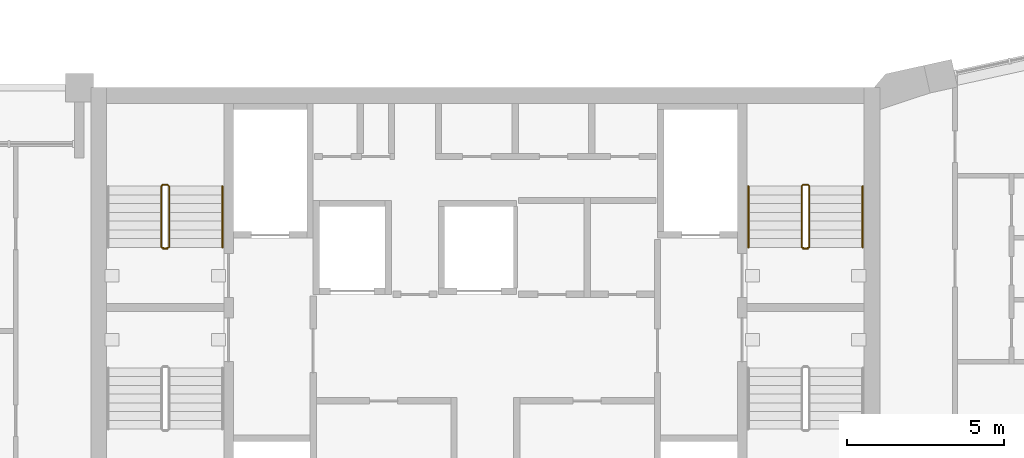
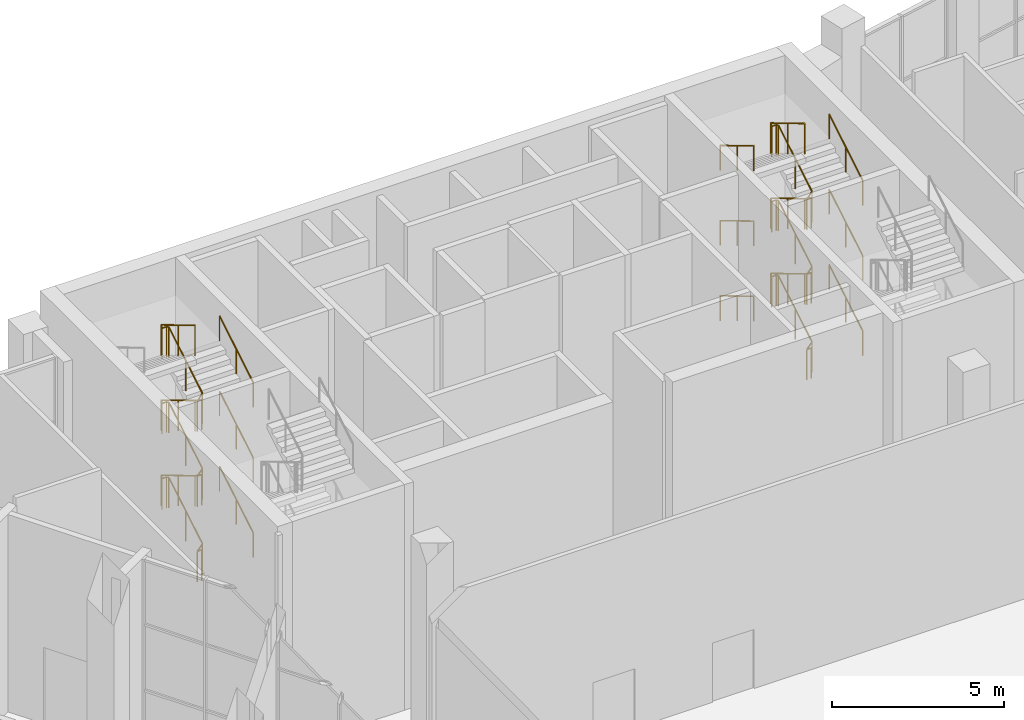
# One storey, part 16 of 16: 11 railings.
"""IFC4 building model written with IfcOpenShell, lengths in metres."""

from ifc_helpers import new_model, si_unit, direction, frame, origin, origin_2d, place, context, subcontext, project, spatial, circle, extrude, material, type_object, element, save


model = new_model("IFC4")

# Units and contexts
model_context = context("Model", 3, precision=1e-05, world=origin(), true_north=direction((0.0, 1.0)))
body_context = subcontext(model_context, "Body", "Model", "MODEL_VIEW")
ifc_project = project(units=[si_unit("LENGTHUNIT", "METRE"), si_unit("AREAUNIT", "SQUARE_METRE"), si_unit("VOLUMEUNIT", "CUBIC_METRE"), si_unit("PLANEANGLEUNIT", "RADIAN"), si_unit("MASSUNIT", "GRAM", prefix="KILO")], contexts=[model_context])

# Site, building, storey
site_placement = place(None, origin())
site = spatial("IfcSite", under=ifc_project, at=site_placement, CompositionType="ELEMENT")
building_placement = place(site_placement, origin())
building = spatial("IfcBuilding", under=site, at=building_placement, Name="Calabash Gate Tower", CompositionType="ELEMENT")
storey_placement = place(building_placement, frame((0.0, 0.0, 302.5)))
storey = spatial("IfcBuildingStorey", under=building, at=storey_placement, Name="L72", CompositionType="ELEMENT", Elevation=302.5)

# Railings
ifc_material_1 = material(Name="Black powder-coated steel balusters", Category="steel")
railing_type_1 = type_object("IfcRailingType", Name="Stair guard RL1100", PredefinedType="GUARDRAIL", material=ifc_material_1)
railing_1_placement = place(storey_placement, frame((-10.14990234375, 13.902587890625, 0.0)))
element("IfcRailing", 1, at=railing_1_placement, inside=storey, type_object=railing_type_1, Name="L72 ST1 stair guard 1", PredefinedType="GUARDRAIL", context=body_context, shape_type="SweptSolid", body=[
    extrude(circle(Radius=0.02392578125, at=origin_2d()), frame((0.0, 0.0, 1.076171875), z_axis=(-1.0, 0.0, 0.0), x_axis=(0.0, -1.0, 0.0)), (0.0, 0.0, 1.0), 0.150146484375),
    extrude(circle(Radius=0.02392578125, at=origin_2d()), frame((-0.150146484375, 0.0, 1.076171875), z_axis=(0.754182335027, 0.188775798145, 0.628945707965), x_axis=(-0.242814311512, 0.970072785993, 0.0)), (0.0, 0.0, 1.0), 0.26513671875),
    extrude(circle(Radius=0.02392578125, at=origin_2d()), frame((0.0498046875, 0.050048828125, 1.24267578125), z_axis=(0.0, 0.858504550952, 0.512805943799), x_axis=(-1.0, 0.0, 0.0)), (0.0, 0.0, 1.0), 2.274658203125),
    extrude(circle(Radius=0.02392578125, at=origin_2d()), frame((0.0498046875, 2.0029296875, 2.4091796875), z_axis=(-0.705375805398, 0.708833529934, 0.0), x_axis=(-0.708833529934, -0.705375805398, 0.0)), (0.0, 0.0, 1.0), 0.070556640625),
    extrude(circle(Radius=0.02392578125, at=origin_2d()), frame((0.0, 2.052978515625, 2.4091796875), z_axis=(-1.0, 0.0, 0.0), x_axis=(0.0, -1.0, 0.0)), (0.0, 0.0, 1.0), 0.150146484375),
    extrude(circle(Radius=0.02392578125, at=origin_2d()), frame((-0.150146484375, 2.052978515625, 2.4091796875), z_axis=(-0.27628659633, -0.27628659633, 0.920506074601), x_axis=(0.707106781187, -0.707106781187, 0.0)), (0.0, 0.0, 1.0), 0.18115234375),
    extrude(circle(Radius=0.02392578125, at=origin_2d()), frame((-0.2001953125, 2.0029296875, 2.576171875), z_axis=(0.0, -0.858457299827, 0.512885040114), x_axis=(1.0, 0.0, 0.0)), (0.0, 0.0, 1.0), 2.27490234375),
    extrude(circle(Radius=0.02392578125, at=origin_2d()), frame((-0.2001953125, 0.050048828125, 3.74267578125), z_axis=(0.970142500145, -0.242535625036, 0.0), x_axis=(0.242535625036, 0.970142500145, 0.0)), (0.0, 0.0, 1.0), 0.206298828125),
    extrude(circle(Radius=0.02392578125, at=origin_2d()), frame((0.0, 0.0, 3.74267578125), z_axis=(-1.0, 0.0, 0.0), x_axis=(0.0, -1.0, 0.0)), (0.0, 0.0, 1.0), 0.150146484375),
    extrude(circle(Radius=0.02392578125, at=origin_2d()), frame((-0.150146484375, 0.0, 3.74267578125), z_axis=(0.754619193878, 0.188885146209, 0.628388632753), x_axis=(-0.242814311512, 0.970072785993, 0.0)), (0.0, 0.0, 1.0), 0.264892578125),
    extrude(circle(Radius=0.02392578125, at=origin_2d()), frame((0.0498046875, 0.050048828125, 3.9091796875), z_axis=(0.0, 0.858457299827, 0.512885040114), x_axis=(-1.0, 0.0, 0.0)), (0.0, 0.0, 1.0), 2.27490234375),
    extrude(circle(Radius=0.02392578125, at=origin_2d()), frame((0.0498046875, 2.0029296875, 5.076171875), z_axis=(-0.705375805398, 0.708833529934, 0.0), x_axis=(-0.708833529934, -0.705375805398, 0.0)), (0.0, 0.0, 1.0), 0.070556640625),
    extrude(circle(Radius=0.02392578125, at=origin_2d()), frame((0.0, 2.052978515625, 5.076171875), z_axis=(-1.0, 0.0, 0.0), x_axis=(0.0, -1.0, 0.0)), (0.0, 0.0, 1.0), 0.150146484375),
    extrude(circle(Radius=0.02392578125, at=origin_2d()), frame((-0.150146484375, 2.052978515625, 5.076171875), z_axis=(-0.27628659633, -0.27628659633, 0.920506074601), x_axis=(0.707106781187, -0.707106781187, 0.0)), (0.0, 0.0, 1.0), 0.18115234375),
    extrude(circle(Radius=0.02392578125, at=origin_2d()), frame((-0.2001953125, 2.0029296875, 5.24267578125), z_axis=(0.0, -0.858504550952, 0.512805943799), x_axis=(1.0, 0.0, 0.0)), (0.0, 0.0, 1.0), 2.274658203125),
    extrude(circle(Radius=0.02392578125, at=origin_2d()), frame((-0.2001953125, 0.050048828125, 6.4091796875), z_axis=(0.970142500145, -0.242535625036, 0.0), x_axis=(0.242535625036, 0.970142500145, 0.0)), (0.0, 0.0, 1.0), 0.206298828125),
    extrude(circle(Radius=0.02392578125, at=origin_2d()), frame((0.0, 0.0, 6.4091796875), z_axis=(-1.0, 0.0, 0.0), x_axis=(0.0, -1.0, 0.0)), (0.0, 0.0, 1.0), 0.150146484375),
    extrude(circle(Radius=0.02392578125, at=origin_2d()), frame((-0.150146484375, 0.0, 6.4091796875), z_axis=(0.754182335027, 0.188775798145, 0.628945707965), x_axis=(-0.242814311512, 0.970072785993, 0.0)), (0.0, 0.0, 1.0), 0.26513671875),
    extrude(circle(Radius=0.02392578125, at=origin_2d()), frame((0.0498046875, 0.050048828125, 6.576171875), z_axis=(0.0, 0.858457299827, 0.512885040114), x_axis=(-1.0, 0.0, 0.0)), (0.0, 0.0, 1.0), 2.27490234375),
    extrude(circle(Radius=0.02392578125, at=origin_2d()), frame((0.0498046875, 2.0029296875, 7.74267578125), z_axis=(-0.705375805398, 0.708833529934, 0.0), x_axis=(-0.708833529934, -0.705375805398, 0.0)), (0.0, 0.0, 1.0), 0.070556640625),
    extrude(circle(Radius=0.02392578125, at=origin_2d()), frame((0.0, 2.052978515625, 7.74267578125), z_axis=(-1.0, 0.0, 0.0), x_axis=(0.0, -1.0, 0.0)), (0.0, 0.0, 1.0), 0.150146484375),
    extrude(circle(Radius=0.02392578125, at=origin_2d()), frame((-0.150146484375, 2.052978515625, 7.74267578125), z_axis=(-0.27662974545, -0.27662974545, 0.920299933644), x_axis=(0.707106781187, -0.707106781187, 0.0)), (0.0, 0.0, 1.0), 0.180908203125),
    extrude(circle(Radius=0.02392578125, at=origin_2d()), frame((-0.2001953125, 2.0029296875, 7.9091796875), z_axis=(0.0, -0.858457299827, 0.512885040114), x_axis=(1.0, 0.0, 0.0)), (0.0, 0.0, 1.0), 2.27490234375),
    extrude(circle(Radius=0.02099609375, at=origin_2d()), origin(), (0.0, 0.0, 1.0), 1.052001953125),
    extrude(circle(Radius=0.02099609375, at=origin_2d()), frame((-0.150146484375, 0.0, 0.0)), (0.0, 0.0, 1.0), 1.052001953125),
    extrude(circle(Radius=0.02099609375, at=origin_2d()), frame((0.0498046875, 0.050048828125, 0.166748046875)), (0.0, 0.0, 1.0), 1.052001953125),
    extrude(circle(Radius=0.02099609375, at=origin_2d()), frame((0.0498046875, 1.0263671875, 0.75)), (0.0, 0.0, 1.0), 1.052001953125),
    extrude(circle(Radius=0.02099609375, at=origin_2d()), frame((0.0498046875, 2.0029296875, 1.333251953125)), (0.0, 0.0, 1.0), 1.052001953125),
    extrude(circle(Radius=0.02099609375, at=origin_2d()), frame((0.0, 2.052978515625, 1.333251953125)), (0.0, 0.0, 1.0), 1.052001953125),
    extrude(circle(Radius=0.02099609375, at=origin_2d()), frame((-0.150146484375, 2.052978515625, 1.333251953125)), (0.0, 0.0, 1.0), 1.052001953125),
    extrude(circle(Radius=0.02099609375, at=origin_2d()), frame((-0.2001953125, 2.0029296875, 1.5)), (0.0, 0.0, 1.0), 1.052001953125),
    extrude(circle(Radius=0.02099609375, at=origin_2d()), frame((-0.2001953125, 1.0263671875, 2.08349609375)), (0.0, 0.0, 1.0), 1.052001953125),
    extrude(circle(Radius=0.02099609375, at=origin_2d()), frame((-0.2001953125, 0.050048828125, 2.666748046875)), (0.0, 0.0, 1.0), 1.052001953125),
    extrude(circle(Radius=0.02099609375, at=origin_2d()), frame((0.0, 0.0, 2.666748046875)), (0.0, 0.0, 1.0), 1.052001953125),
    extrude(circle(Radius=0.02099609375, at=origin_2d()), frame((-0.150146484375, 0.0, 2.666748046875)), (0.0, 0.0, 1.0), 1.052001953125),
    extrude(circle(Radius=0.02099609375, at=origin_2d()), frame((0.0498046875, 0.050048828125, 2.833251953125)), (0.0, 0.0, 1.0), 1.052001953125),
    extrude(circle(Radius=0.02099609375, at=origin_2d()), frame((0.0498046875, 1.0263671875, 3.41650390625)), (0.0, 0.0, 1.0), 1.052001953125),
    extrude(circle(Radius=0.02099609375, at=origin_2d()), frame((0.0498046875, 2.0029296875, 4.0)), (0.0, 0.0, 1.0), 1.052001953125),
    extrude(circle(Radius=0.02099609375, at=origin_2d()), frame((0.0, 2.052978515625, 4.0)), (0.0, 0.0, 1.0), 1.052001953125),
    extrude(circle(Radius=0.02099609375, at=origin_2d()), frame((-0.150146484375, 2.052978515625, 4.0)), (0.0, 0.0, 1.0), 1.052001953125),
    extrude(circle(Radius=0.02099609375, at=origin_2d()), frame((-0.2001953125, 2.0029296875, 4.166748046875)), (0.0, 0.0, 1.0), 1.052001953125),
    extrude(circle(Radius=0.02099609375, at=origin_2d()), frame((-0.2001953125, 1.0263671875, 4.75)), (0.0, 0.0, 1.0), 1.052001953125),
    extrude(circle(Radius=0.02099609375, at=origin_2d()), frame((-0.2001953125, 0.050048828125, 5.333251953125)), (0.0, 0.0, 1.0), 1.052001953125),
    extrude(circle(Radius=0.02099609375, at=origin_2d()), frame((0.0, 0.0, 5.333251953125)), (0.0, 0.0, 1.0), 1.052001953125),
    extrude(circle(Radius=0.02099609375, at=origin_2d()), frame((-0.150146484375, 0.0, 5.333251953125)), (0.0, 0.0, 1.0), 1.052001953125),
    extrude(circle(Radius=0.02099609375, at=origin_2d()), frame((0.0498046875, 0.050048828125, 5.5)), (0.0, 0.0, 1.0), 1.052001953125),
    extrude(circle(Radius=0.02099609375, at=origin_2d()), frame((0.0498046875, 1.0263671875, 6.08349609375)), (0.0, 0.0, 1.0), 1.052001953125),
    extrude(circle(Radius=0.02099609375, at=origin_2d()), frame((0.0498046875, 2.0029296875, 6.666748046875)), (0.0, 0.0, 1.0), 1.052001953125),
    extrude(circle(Radius=0.02099609375, at=origin_2d()), frame((0.0, 2.052978515625, 6.666748046875)), (0.0, 0.0, 1.0), 1.052001953125),
    extrude(circle(Radius=0.02099609375, at=origin_2d()), frame((-0.150146484375, 2.052978515625, 6.666748046875)), (0.0, 0.0, 1.0), 1.052001953125),
    extrude(circle(Radius=0.02099609375, at=origin_2d()), frame((-0.2001953125, 2.0029296875, 6.833251953125)), (0.0, 0.0, 1.0), 1.052001953125),
    extrude(circle(Radius=0.02099609375, at=origin_2d()), frame((-0.2001953125, 1.0263671875, 7.41650390625)), (0.0, 0.0, 1.0), 1.052001953125),
    extrude(circle(Radius=0.02099609375, at=origin_2d()), frame((-0.2001953125, 0.050048828125, 8.0)), (0.0, 0.0, 1.0), 1.052001953125),
])
railing_2_placement = place(storey_placement, frame((10.300048828125, 13.902587890625, 0.0)))
element("IfcRailing", 2, at=railing_2_placement, inside=storey, type_object=railing_type_1, Name="L72 ST3 stair guard 1", PredefinedType="GUARDRAIL", context=body_context, shape_type="SweptSolid", body=[
    extrude(circle(Radius=0.02392578125, at=origin_2d()), frame((0.0, 0.0, 1.076171875), z_axis=(-1.0, 0.0, 0.0), x_axis=(0.0, -1.0, 0.0)), (0.0, 0.0, 1.0), 0.150146484375),
    extrude(circle(Radius=0.02392578125, at=origin_2d()), frame((-0.150146484375, 0.0, 1.076171875), z_axis=(0.75457900375, 0.188644750937, 0.628509097026), x_axis=(-0.242535625036, 0.970142500145, 0.0)), (0.0, 0.0, 1.0), 0.265380859375),
    extrude(circle(Radius=0.02392578125, at=origin_2d()), frame((0.050048828125, 0.050048828125, 1.24267578125), z_axis=(0.0, 0.858504550952, 0.512805943799), x_axis=(-1.0, 0.0, 0.0)), (0.0, 0.0, 1.0), 2.274658203125),
    extrude(circle(Radius=0.02392578125, at=origin_2d()), frame((0.050048828125, 2.0029296875, 2.4091796875), z_axis=(-0.707106781187, 0.707106781187, 0.0), x_axis=(-0.707106781187, -0.707106781187, 0.0)), (0.0, 0.0, 1.0), 0.07080078125),
    extrude(circle(Radius=0.02392578125, at=origin_2d()), frame((0.0, 2.052978515625, 2.4091796875), z_axis=(-1.0, 0.0, 0.0), x_axis=(0.0, -1.0, 0.0)), (0.0, 0.0, 1.0), 0.150146484375),
    extrude(circle(Radius=0.02392578125, at=origin_2d()), frame((-0.150146484375, 2.052978515625, 2.4091796875), z_axis=(-0.275041040955, -0.276389281352, 0.920848191041), x_axis=(0.708833529934, -0.705375805398, 0.0)), (0.0, 0.0, 1.0), 0.18115234375),
    extrude(circle(Radius=0.02392578125, at=origin_2d()), frame((-0.199951171875, 2.0029296875, 2.576171875), z_axis=(0.0, -0.858457299827, 0.512885040114), x_axis=(1.0, 0.0, 0.0)), (0.0, 0.0, 1.0), 2.27490234375),
    extrude(circle(Radius=0.02392578125, at=origin_2d()), frame((-0.199951171875, 0.050048828125, 3.74267578125), z_axis=(0.970072785993, -0.242814311512, 0.0), x_axis=(0.242814311512, 0.970072785993, 0.0)), (0.0, 0.0, 1.0), 0.2060546875),
    extrude(circle(Radius=0.02392578125, at=origin_2d()), frame((0.0, 0.0, 3.74267578125), z_axis=(-1.0, 0.0, 0.0), x_axis=(0.0, -1.0, 0.0)), (0.0, 0.0, 1.0), 0.150146484375),
    extrude(circle(Radius=0.02392578125, at=origin_2d()), frame((-0.150146484375, 0.0, 3.74267578125), z_axis=(0.755015485205, 0.188753871301, 0.627951903548), x_axis=(-0.242535625036, 0.970142500145, 0.0)), (0.0, 0.0, 1.0), 0.26513671875),
    extrude(circle(Radius=0.02392578125, at=origin_2d()), frame((0.050048828125, 0.050048828125, 3.9091796875), z_axis=(0.0, 0.858457299827, 0.512885040114), x_axis=(-1.0, 0.0, 0.0)), (0.0, 0.0, 1.0), 2.27490234375),
    extrude(circle(Radius=0.02392578125, at=origin_2d()), frame((0.050048828125, 2.0029296875, 5.076171875), z_axis=(-0.707106781187, 0.707106781187, 0.0), x_axis=(-0.707106781187, -0.707106781187, 0.0)), (0.0, 0.0, 1.0), 0.07080078125),
    extrude(circle(Radius=0.02392578125, at=origin_2d()), frame((0.0, 2.052978515625, 5.076171875), z_axis=(-1.0, 0.0, 0.0), x_axis=(0.0, -1.0, 0.0)), (0.0, 0.0, 1.0), 0.150146484375),
    extrude(circle(Radius=0.02392578125, at=origin_2d()), frame((-0.150146484375, 2.052978515625, 5.076171875), z_axis=(-0.275041040955, -0.276389281352, 0.920848191041), x_axis=(0.708833529934, -0.705375805398, 0.0)), (0.0, 0.0, 1.0), 0.18115234375),
    extrude(circle(Radius=0.02392578125, at=origin_2d()), frame((-0.199951171875, 2.0029296875, 5.24267578125), z_axis=(0.0, -0.858504550952, 0.512805943799), x_axis=(1.0, 0.0, 0.0)), (0.0, 0.0, 1.0), 2.274658203125),
    extrude(circle(Radius=0.02392578125, at=origin_2d()), frame((-0.199951171875, 0.050048828125, 6.4091796875), z_axis=(0.970072785993, -0.242814311512, 0.0), x_axis=(0.242814311512, 0.970072785993, 0.0)), (0.0, 0.0, 1.0), 0.2060546875),
    extrude(circle(Radius=0.02392578125, at=origin_2d()), frame((0.0, 0.0, 6.4091796875), z_axis=(-1.0, 0.0, 0.0), x_axis=(0.0, -1.0, 0.0)), (0.0, 0.0, 1.0), 0.150146484375),
    extrude(circle(Radius=0.02392578125, at=origin_2d()), frame((-0.150146484375, 0.0, 6.4091796875), z_axis=(0.75457900375, 0.188644750937, 0.628509097026), x_axis=(-0.242535625036, 0.970142500145, 0.0)), (0.0, 0.0, 1.0), 0.265380859375),
    extrude(circle(Radius=0.02392578125, at=origin_2d()), frame((0.050048828125, 0.050048828125, 6.576171875), z_axis=(0.0, 0.858457299827, 0.512885040114), x_axis=(-1.0, 0.0, 0.0)), (0.0, 0.0, 1.0), 2.27490234375),
    extrude(circle(Radius=0.02392578125, at=origin_2d()), frame((0.050048828125, 2.0029296875, 7.74267578125), z_axis=(-0.707106781187, 0.707106781187, 0.0), x_axis=(-0.707106781187, -0.707106781187, 0.0)), (0.0, 0.0, 1.0), 0.07080078125),
    extrude(circle(Radius=0.02392578125, at=origin_2d()), frame((0.0, 2.052978515625, 7.74267578125), z_axis=(-1.0, 0.0, 0.0), x_axis=(0.0, -1.0, 0.0)), (0.0, 0.0, 1.0), 0.150146484375),
    extrude(circle(Radius=0.02392578125, at=origin_2d()), frame((-0.150146484375, 2.052978515625, 7.74267578125), z_axis=(-0.275382897532, -0.276732813696, 0.920642824102), x_axis=(0.708833529934, -0.705375805398, 0.0)), (0.0, 0.0, 1.0), 0.180908203125),
    extrude(circle(Radius=0.02392578125, at=origin_2d()), frame((-0.199951171875, 2.0029296875, 7.9091796875), z_axis=(0.0, -0.858457299827, 0.512885040114), x_axis=(1.0, 0.0, 0.0)), (0.0, 0.0, 1.0), 2.27490234375),
    extrude(circle(Radius=0.02099609375, at=origin_2d()), origin(), (0.0, 0.0, 1.0), 1.052001953125),
    extrude(circle(Radius=0.02099609375, at=origin_2d()), frame((-0.150146484375, 0.0, 0.0)), (0.0, 0.0, 1.0), 1.052001953125),
    extrude(circle(Radius=0.02099609375, at=origin_2d()), frame((0.050048828125, 0.050048828125, 0.166748046875)), (0.0, 0.0, 1.0), 1.052001953125),
    extrude(circle(Radius=0.02099609375, at=origin_2d()), frame((0.050048828125, 1.0263671875, 0.75)), (0.0, 0.0, 1.0), 1.052001953125),
    extrude(circle(Radius=0.02099609375, at=origin_2d()), frame((0.050048828125, 2.0029296875, 1.333251953125)), (0.0, 0.0, 1.0), 1.052001953125),
    extrude(circle(Radius=0.02099609375, at=origin_2d()), frame((0.0, 2.052978515625, 1.333251953125)), (0.0, 0.0, 1.0), 1.052001953125),
    extrude(circle(Radius=0.02099609375, at=origin_2d()), frame((-0.150146484375, 2.052978515625, 1.333251953125)), (0.0, 0.0, 1.0), 1.052001953125),
    extrude(circle(Radius=0.02099609375, at=origin_2d()), frame((-0.199951171875, 2.0029296875, 1.5)), (0.0, 0.0, 1.0), 1.052001953125),
    extrude(circle(Radius=0.02099609375, at=origin_2d()), frame((-0.199951171875, 1.0263671875, 2.08349609375)), (0.0, 0.0, 1.0), 1.052001953125),
    extrude(circle(Radius=0.02099609375, at=origin_2d()), frame((-0.199951171875, 0.050048828125, 2.666748046875)), (0.0, 0.0, 1.0), 1.052001953125),
    extrude(circle(Radius=0.02099609375, at=origin_2d()), frame((0.0, 0.0, 2.666748046875)), (0.0, 0.0, 1.0), 1.052001953125),
    extrude(circle(Radius=0.02099609375, at=origin_2d()), frame((-0.150146484375, 0.0, 2.666748046875)), (0.0, 0.0, 1.0), 1.052001953125),
    extrude(circle(Radius=0.02099609375, at=origin_2d()), frame((0.050048828125, 0.050048828125, 2.833251953125)), (0.0, 0.0, 1.0), 1.052001953125),
    extrude(circle(Radius=0.02099609375, at=origin_2d()), frame((0.050048828125, 1.0263671875, 3.41650390625)), (0.0, 0.0, 1.0), 1.052001953125),
    extrude(circle(Radius=0.02099609375, at=origin_2d()), frame((0.050048828125, 2.0029296875, 4.0)), (0.0, 0.0, 1.0), 1.052001953125),
    extrude(circle(Radius=0.02099609375, at=origin_2d()), frame((0.0, 2.052978515625, 4.0)), (0.0, 0.0, 1.0), 1.052001953125),
    extrude(circle(Radius=0.02099609375, at=origin_2d()), frame((-0.150146484375, 2.052978515625, 4.0)), (0.0, 0.0, 1.0), 1.052001953125),
    extrude(circle(Radius=0.02099609375, at=origin_2d()), frame((-0.199951171875, 2.0029296875, 4.166748046875)), (0.0, 0.0, 1.0), 1.052001953125),
    extrude(circle(Radius=0.02099609375, at=origin_2d()), frame((-0.199951171875, 1.0263671875, 4.75)), (0.0, 0.0, 1.0), 1.052001953125),
    extrude(circle(Radius=0.02099609375, at=origin_2d()), frame((-0.199951171875, 0.050048828125, 5.333251953125)), (0.0, 0.0, 1.0), 1.052001953125),
    extrude(circle(Radius=0.02099609375, at=origin_2d()), frame((0.0, 0.0, 5.333251953125)), (0.0, 0.0, 1.0), 1.052001953125),
    extrude(circle(Radius=0.02099609375, at=origin_2d()), frame((-0.150146484375, 0.0, 5.333251953125)), (0.0, 0.0, 1.0), 1.052001953125),
    extrude(circle(Radius=0.02099609375, at=origin_2d()), frame((0.050048828125, 0.050048828125, 5.5)), (0.0, 0.0, 1.0), 1.052001953125),
    extrude(circle(Radius=0.02099609375, at=origin_2d()), frame((0.050048828125, 1.0263671875, 6.08349609375)), (0.0, 0.0, 1.0), 1.052001953125),
    extrude(circle(Radius=0.02099609375, at=origin_2d()), frame((0.050048828125, 2.0029296875, 6.666748046875)), (0.0, 0.0, 1.0), 1.052001953125),
    extrude(circle(Radius=0.02099609375, at=origin_2d()), frame((0.0, 2.052978515625, 6.666748046875)), (0.0, 0.0, 1.0), 1.052001953125),
    extrude(circle(Radius=0.02099609375, at=origin_2d()), frame((-0.150146484375, 2.052978515625, 6.666748046875)), (0.0, 0.0, 1.0), 1.052001953125),
    extrude(circle(Radius=0.02099609375, at=origin_2d()), frame((-0.199951171875, 2.0029296875, 6.833251953125)), (0.0, 0.0, 1.0), 1.052001953125),
    extrude(circle(Radius=0.02099609375, at=origin_2d()), frame((-0.199951171875, 1.0263671875, 7.41650390625)), (0.0, 0.0, 1.0), 1.052001953125),
    extrude(circle(Radius=0.02099609375, at=origin_2d()), frame((-0.199951171875, 0.050048828125, 8.0)), (0.0, 0.0, 1.0), 1.052001953125),
])
ifc_material_2 = material(Name="Black powder-coated steel tube 48 mm", Category="steel")
railing_type_2 = type_object("IfcRailingType", Name="Stair handrail RL900", PredefinedType="HANDRAIL", material=ifc_material_2)
railing_3_placement = place(storey_placement, frame((-8.39990234375, 13.95263671875, 0.166748046875)))
element("IfcRailing", 3, at=railing_3_placement, inside=storey, type_object=railing_type_2, Name="L72 ST1 stair handrail 1", PredefinedType="HANDRAIL", context=body_context, shape_type="SweptSolid", body=[
    extrude(circle(Radius=0.02392578125, at=origin_2d()), frame((0.0, 0.0, 0.8759765625), z_axis=(0.0, 0.858504550952, 0.512805943799), x_axis=(-1.0, 0.0, 0.0)), (0.0, 0.0, 1.0), 2.274658203125),
    extrude(circle(Radius=0.02099609375, at=origin_2d()), origin(), (0.0, 0.0, 1.0), 0.851806640625),
    extrude(circle(Radius=0.02099609375, at=origin_2d()), frame((0.0, 0.9765625, 0.583251953125)), (0.0, 0.0, 1.0), 0.851806640625),
    extrude(circle(Radius=0.02099609375, at=origin_2d()), frame((0.0, 1.952880859375, 1.16650390625)), (0.0, 0.0, 1.0), 0.851806640625),
])
for number, where, name in (
    (4, (-8.39990234375, 13.95263671875, 2.833251953125), "L72 ST1 stair handrail 3"),
    (5, (-8.39990234375, 13.95263671875, 5.5), "L72 ST1 stair handrail 5"),
):
    element("IfcRailing", number, at=place(storey_placement, frame(where)), inside=storey, type_object=railing_type_2, Name=name, PredefinedType="HANDRAIL", context=body_context, shape_type="SweptSolid", body=[
        extrude(circle(Radius=0.02392578125, at=origin_2d()), frame((0.0, 0.0, 0.8759765625), z_axis=(0.0, 0.858457299827, 0.512885040114), x_axis=(-1.0, 0.0, 0.0)), (0.0, 0.0, 1.0), 2.27490234375),
        extrude(circle(Radius=0.02099609375, at=origin_2d()), origin(), (0.0, 0.0, 1.0), 0.851806640625),
        extrude(circle(Radius=0.02099609375, at=origin_2d()), frame((0.0, 0.9765625, 0.58349609375)), (0.0, 0.0, 1.0), 0.851806640625),
        extrude(circle(Radius=0.02099609375, at=origin_2d()), frame((0.0, 1.952880859375, 1.166748046875)), (0.0, 0.0, 1.0), 0.851806640625),
    ])
railing_4_placement = place(storey_placement, frame((12.050048828125, 13.95263671875, 0.166748046875)))
element("IfcRailing", 6, at=railing_4_placement, inside=storey, type_object=railing_type_2, Name="L72 ST3 stair handrail 1", PredefinedType="HANDRAIL", context=body_context, shape_type="SweptSolid", body=[
    extrude(circle(Radius=0.02392578125, at=origin_2d()), frame((0.0, 0.0, 0.8759765625), z_axis=(0.0, 0.858504550952, 0.512805943799), x_axis=(-1.0, 0.0, 0.0)), (0.0, 0.0, 1.0), 2.274658203125),
    extrude(circle(Radius=0.02099609375, at=origin_2d()), origin(), (0.0, 0.0, 1.0), 0.851806640625),
    extrude(circle(Radius=0.02099609375, at=origin_2d()), frame((0.0, 0.9765625, 0.583251953125)), (0.0, 0.0, 1.0), 0.851806640625),
    extrude(circle(Radius=0.02099609375, at=origin_2d()), frame((0.0, 1.952880859375, 1.16650390625)), (0.0, 0.0, 1.0), 0.851806640625),
])
railing_5_placement = place(storey_placement, frame((8.39990234375, 15.905517578125, 1.5)))
element("IfcRailing", 7, at=railing_5_placement, inside=storey, type_object=railing_type_2, Name="L72 ST3 stair handrail 2", PredefinedType="HANDRAIL", context=body_context, shape_type="SweptSolid", body=[
    extrude(circle(Radius=0.02392578125, at=origin_2d()), frame((0.0, 0.0, 0.8759765625), z_axis=(0.0, -0.858457299827, 0.512885040114), x_axis=(1.0, 0.0, 0.0)), (0.0, 0.0, 1.0), 2.27490234375),
    extrude(circle(Radius=0.02099609375, at=origin_2d()), origin(), (0.0, 0.0, 1.0), 0.851806640625),
    extrude(circle(Radius=0.02099609375, at=origin_2d()), frame((0.0, -0.9765625, 0.58349609375)), (0.0, 0.0, 1.0), 0.851806640625),
    extrude(circle(Radius=0.02099609375, at=origin_2d()), frame((0.0, -1.952880859375, 1.166748046875)), (0.0, 0.0, 1.0), 0.851806640625),
])
railing_6_placement = place(storey_placement, frame((12.050048828125, 13.95263671875, 2.833251953125)))
element("IfcRailing", 8, at=railing_6_placement, inside=storey, type_object=railing_type_2, Name="L72 ST3 stair handrail 3", PredefinedType="HANDRAIL", context=body_context, shape_type="SweptSolid", body=[
    extrude(circle(Radius=0.02392578125, at=origin_2d()), frame((0.0, 0.0, 0.8759765625), z_axis=(0.0, 0.858457299827, 0.512885040114), x_axis=(-1.0, 0.0, 0.0)), (0.0, 0.0, 1.0), 2.27490234375),
    extrude(circle(Radius=0.02099609375, at=origin_2d()), origin(), (0.0, 0.0, 1.0), 0.851806640625),
    extrude(circle(Radius=0.02099609375, at=origin_2d()), frame((0.0, 0.9765625, 0.58349609375)), (0.0, 0.0, 1.0), 0.851806640625),
    extrude(circle(Radius=0.02099609375, at=origin_2d()), frame((0.0, 1.952880859375, 1.166748046875)), (0.0, 0.0, 1.0), 0.851806640625),
])
railing_7_placement = place(storey_placement, frame((8.39990234375, 15.905517578125, 4.166748046875)))
element("IfcRailing", 9, at=railing_7_placement, inside=storey, type_object=railing_type_2, Name="L72 ST3 stair handrail 4", PredefinedType="HANDRAIL", context=body_context, shape_type="SweptSolid", body=[
    extrude(circle(Radius=0.02392578125, at=origin_2d()), frame((0.0, 0.0, 0.8759765625), z_axis=(0.0, -0.858504550952, 0.512805943799), x_axis=(1.0, 0.0, 0.0)), (0.0, 0.0, 1.0), 2.274658203125),
    extrude(circle(Radius=0.02099609375, at=origin_2d()), origin(), (0.0, 0.0, 1.0), 0.851806640625),
    extrude(circle(Radius=0.02099609375, at=origin_2d()), frame((0.0, -0.9765625, 0.583251953125)), (0.0, 0.0, 1.0), 0.851806640625),
    extrude(circle(Radius=0.02099609375, at=origin_2d()), frame((0.0, -1.952880859375, 1.16650390625)), (0.0, 0.0, 1.0), 0.851806640625),
])
railing_8_placement = place(storey_placement, frame((12.050048828125, 13.95263671875, 5.5)))
element("IfcRailing", 10, at=railing_8_placement, inside=storey, type_object=railing_type_2, Name="L72 ST3 stair handrail 5", PredefinedType="HANDRAIL", context=body_context, shape_type="SweptSolid", body=[
    extrude(circle(Radius=0.02392578125, at=origin_2d()), frame((0.0, 0.0, 0.8759765625), z_axis=(0.0, 0.858457299827, 0.512885040114), x_axis=(-1.0, 0.0, 0.0)), (0.0, 0.0, 1.0), 2.27490234375),
    extrude(circle(Radius=0.02099609375, at=origin_2d()), origin(), (0.0, 0.0, 1.0), 0.851806640625),
    extrude(circle(Radius=0.02099609375, at=origin_2d()), frame((0.0, 0.9765625, 0.58349609375)), (0.0, 0.0, 1.0), 0.851806640625),
    extrude(circle(Radius=0.02099609375, at=origin_2d()), frame((0.0, 1.952880859375, 1.166748046875)), (0.0, 0.0, 1.0), 0.851806640625),
])
railing_9_placement = place(storey_placement, frame((8.39990234375, 15.905517578125, 6.833251953125)))
element("IfcRailing", 11, at=railing_9_placement, inside=storey, type_object=railing_type_2, Name="L72 ST3 stair handrail 6", PredefinedType="HANDRAIL", context=body_context, shape_type="SweptSolid", body=[
    extrude(circle(Radius=0.02392578125, at=origin_2d()), frame((0.0, 0.0, 0.8759765625), z_axis=(0.0, -0.858457299827, 0.512885040114), x_axis=(1.0, 0.0, 0.0)), (0.0, 0.0, 1.0), 2.27490234375),
    extrude(circle(Radius=0.02099609375, at=origin_2d()), origin(), (0.0, 0.0, 1.0), 0.851806640625),
    extrude(circle(Radius=0.02099609375, at=origin_2d()), frame((0.0, -0.9765625, 0.58349609375)), (0.0, 0.0, 1.0), 0.851806640625),
    extrude(circle(Radius=0.02099609375, at=origin_2d()), frame((0.0, -1.952880859375, 1.166748046875)), (0.0, 0.0, 1.0), 0.851806640625),
])

save(model, "model.ifc")
